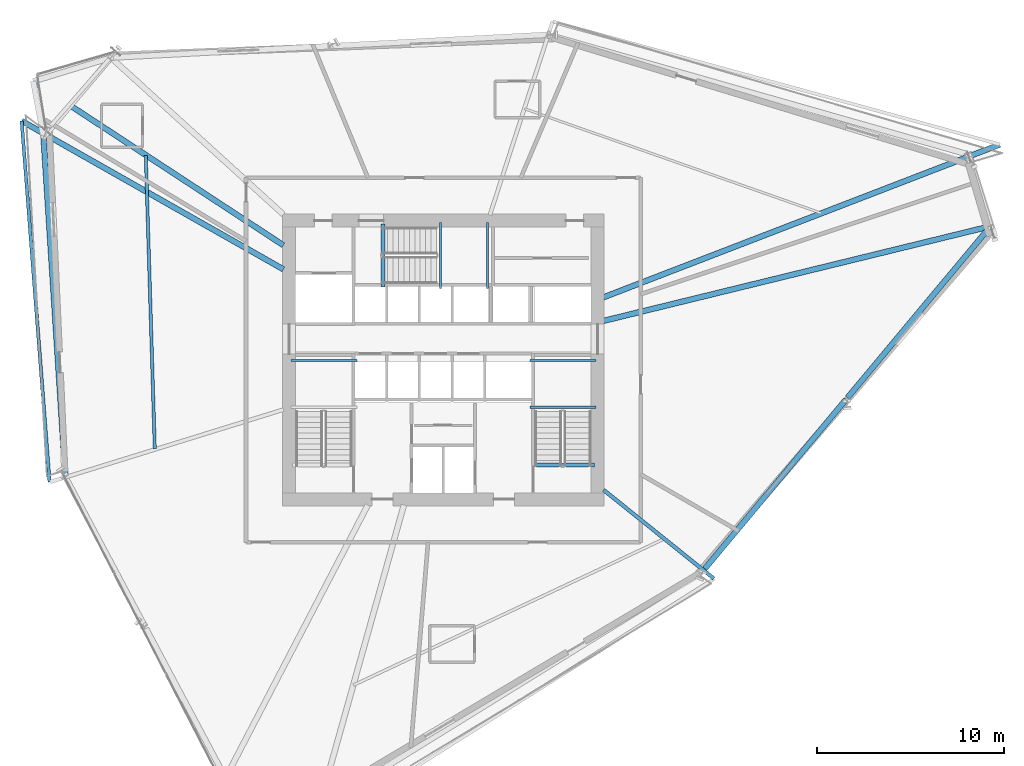
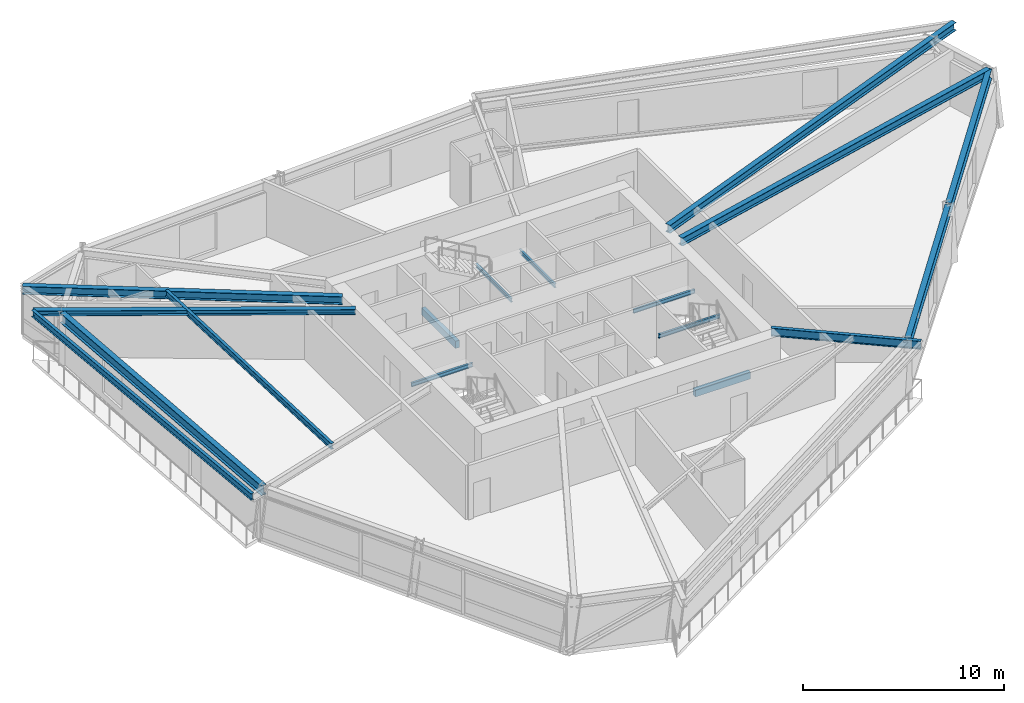
# One storey, part 6 of 19: 17 beams.
"""IFC4 building model written with IfcOpenShell, lengths in metres."""

from ifc_helpers import new_model, si_unit, direction, frame, origin, origin_2d, place, context, subcontext, project, spatial, rectangle, i_section, extrude, source, transform, mapped, material, material_profile, profile_set, type_object, element, save


model = new_model("IFC4")

# Units and contexts
model_context = context("Model", 3, precision=1e-05, world=origin(), true_north=direction((0.0, 1.0)))
body_context = subcontext(model_context, "Body", "Model", "MODEL_VIEW")
ifc_project = project(units=[si_unit("LENGTHUNIT", "METRE"), si_unit("AREAUNIT", "SQUARE_METRE"), si_unit("VOLUMEUNIT", "CUBIC_METRE"), si_unit("PLANEANGLEUNIT", "RADIAN"), si_unit("MASSUNIT", "GRAM", prefix="KILO")], contexts=[model_context])

# Site, building, storey
site_placement = place(None, origin())
site = spatial("IfcSite", under=ifc_project, at=site_placement, CompositionType="ELEMENT")
building_placement = place(site_placement, origin())
building = spatial("IfcBuilding", under=site, at=building_placement, Name="Olszyna Solenne Hotel", CompositionType="ELEMENT")
storey_placement = place(building_placement, frame((0.0, 0.0, 102.14990234375)))
storey = spatial("IfcBuildingStorey", under=building, at=storey_placement, Name="L26", CompositionType="ELEMENT", Elevation=102.14990234375)

# Beams
ifc_material_1 = material(Name="Steel S355J2", Category="steel")
ifc_material_profile_1 = material_profile(ifc_material_1, i_section(OverallWidth=0.300048828125, OverallDepth=0.60009765625, WebThickness=0.015380859375, FlangeThickness=0.030029296875, at=origin_2d()), Name="HEB 600", Category="load-bearing")
ifc_profile_set_1 = profile_set([ifc_material_profile_1], Name="Steel S355J2")
beam_type_1 = type_object("IfcBeamType", Name="BM-S2", PredefinedType="BEAM", material=ifc_profile_set_1)
shared_shape_1 = source(origin(), body_context, "Body", "SweptSolid", [
    extrude(i_section(OverallWidth=0.300048828125, OverallDepth=0.60009765625, WebThickness=0.015380859375, FlangeThickness=0.030029296875, at=origin_2d()), origin(), (0.0, 0.0, 1.0), 18.102294921875),
])
beam_1_placement = place(storey_placement, frame((16.622802734375, 38.46142578125, 3.0), z_axis=(0.064210275935, -0.997936390991, 0.0), x_axis=(0.997936390991, 0.064210275935, 0.0)))
element("IfcBeam", 1, at=beam_1_placement, inside=storey, type_object=beam_type_1, Name="Perimeter spandrel beam BM-S2 B-L26-0785", PredefinedType="BEAM", context=body_context, shape_type="MappedRepresentation", body=[
    mapped(shared_shape_1, transform((0.0, 0.0, 0.0), x_axis=(1.0, 0.0, 0.0), y_axis=(0.0, 1.0, 0.0), z_axis=(0.0, 0.0, 1.0), scale=1.0)),
])
shared_shape_2 = source(origin(), body_context, "Body", "SweptSolid", [
    extrude(i_section(OverallWidth=0.300048828125, OverallDepth=0.60009765625, WebThickness=0.015380859375, FlangeThickness=0.030029296875, at=origin_2d()), origin(), (0.0, 0.0, 1.0), 11.872802734375),
])
beam_2_placement = place(storey_placement, frame((51.92919921875, 15.37939453125, 3.0), z_axis=(0.640582766423, 0.767889132207, 0.0), x_axis=(-0.767889132207, 0.640582766423, 0.0)))
element("IfcBeam", 2, at=beam_2_placement, inside=storey, type_object=beam_type_1, Name="Perimeter spandrel beam BM-S2 B-L26-0790", PredefinedType="BEAM", context=body_context, shape_type="MappedRepresentation", body=[
    mapped(shared_shape_2, transform((0.0, 0.0, 0.0), x_axis=(1.0, 0.0, 0.0), y_axis=(0.0, 1.0, 0.0), z_axis=(0.0, 0.0, 1.0), scale=1.0)),
])
shared_shape_3 = source(origin(), body_context, "Body", "SweptSolid", [
    extrude(i_section(OverallWidth=0.300048828125, OverallDepth=0.60009765625, WebThickness=0.015380859375, FlangeThickness=0.030029296875, at=origin_2d()), origin(), (0.0, 0.0, 1.0), 11.87255859375),
])
beam_3_placement = place(storey_placement, frame((59.611572265625, 24.588623046875, 3.0), z_axis=(0.640570641054, 0.76789924718, 0.0), x_axis=(-0.76789924718, 0.640570641054, 0.0)))
element("IfcBeam", 3, at=beam_3_placement, inside=storey, type_object=beam_type_1, Name="Perimeter spandrel beam BM-S2 B-L26-0791", PredefinedType="BEAM", context=body_context, shape_type="MappedRepresentation", body=[
    mapped(shared_shape_3, transform((0.0, 0.0, 0.0), x_axis=(1.0, 0.0, 0.0), y_axis=(0.0, 1.0, 0.0), z_axis=(0.0, 0.0, 1.0), scale=1.0)),
])
ifc_material_profile_2 = material_profile(ifc_material_1, i_section(OverallWidth=0.300048828125, OverallDepth=0.489990234375, WebThickness=0.011962890625, FlangeThickness=0.02294921875, at=origin_2d()), Name="HEA 500", Category="load-bearing")
ifc_profile_set_2 = profile_set([ifc_material_profile_2], Name="Steel S355J2")
beam_type_2 = type_object("IfcBeamType", Name="BM-G1", PredefinedType="BEAM", material=ifc_profile_set_2)
shared_shape_4 = source(origin(), body_context, "Body", "SweptSolid", [
    extrude(i_section(OverallWidth=0.300048828125, OverallDepth=0.489990234375, WebThickness=0.011962890625, FlangeThickness=0.02294921875, at=origin_2d()), origin(), (0.0, 0.0, 1.0), 21.25341796875),
])
beam_4_placement = place(storey_placement, frame((67.197021484375, 33.737548828125, 3.05517578125), z_axis=(-0.971394236964, -0.237472601352, 0.0), x_axis=(0.237472601352, -0.971394236964, 0.0)))
element("IfcBeam", 4, at=beam_4_placement, inside=storey, type_object=beam_type_2, Name="Radial floor girder BM-G1 B-L26-0792", PredefinedType="BEAM", context=body_context, shape_type="MappedRepresentation", body=[
    mapped(shared_shape_4, transform((0.0, 0.0, 0.0), x_axis=(1.0, 0.0, 0.0), y_axis=(0.0, 1.0, 0.0), z_axis=(0.0, 0.0, 1.0), scale=1.0)),
])
shared_shape_5 = source(origin(), body_context, "Body", "SweptSolid", [
    extrude(i_section(OverallWidth=0.300048828125, OverallDepth=0.489990234375, WebThickness=0.011962890625, FlangeThickness=0.02294921875, at=origin_2d()), origin(), (0.0, 0.0, 1.0), 22.709716796875),
])
beam_5_placement = place(storey_placement, frame((67.7431640625, 38.118408203125, 3.05517578125), z_axis=(-0.933064090147, -0.359710166215, 0.0), x_axis=(0.359710166215, -0.933064090147, 0.0)))
element("IfcBeam", 5, at=beam_5_placement, inside=storey, type_object=beam_type_2, Name="Radial floor girder BM-G1 B-L26-0793", PredefinedType="BEAM", context=body_context, shape_type="MappedRepresentation", body=[
    mapped(shared_shape_5, transform((0.0, 0.0, 0.0), x_axis=(1.0, 0.0, 0.0), y_axis=(0.0, 1.0, 0.0), z_axis=(0.0, 0.0, 1.0), scale=1.0)),
])
shared_shape_6 = source(origin(), body_context, "Body", "SweptSolid", [
    extrude(i_section(OverallWidth=0.300048828125, OverallDepth=0.489990234375, WebThickness=0.011962890625, FlangeThickness=0.02294921875, at=origin_2d()), origin(), (0.0, 0.0, 1.0), 15.969482421875),
])
beam_6_placement = place(storey_placement, frame((16.084228515625, 41.49365234375, 3.05517578125), z_axis=(0.836371222337, -0.548163459606, 0.0), x_axis=(0.548163459606, 0.836371222337, 0.0)))
element("IfcBeam", 6, at=beam_6_placement, inside=storey, type_object=beam_type_2, Name="Radial floor girder BM-G1 B-L26-0796", PredefinedType="BEAM", context=body_context, shape_type="MappedRepresentation", body=[
    mapped(shared_shape_6, transform((0.0, 0.0, 0.0), x_axis=(1.0, 0.0, 0.0), y_axis=(0.0, 1.0, 0.0), z_axis=(0.0, 0.0, 1.0), scale=1.0)),
])
ifc_material_profile_3 = material_profile(ifc_material_1, i_section(OverallWidth=0.199951171875, OverallDepth=0.5, WebThickness=0.01025390625, FlangeThickness=0.01611328125, at=origin_2d()), Name="IPE 500", Category="load-bearing")
ifc_profile_set_3 = profile_set([ifc_material_profile_3], Name="Steel S355J2")
beam_type_3 = type_object("IfcBeamType", Name="BM-F3", PredefinedType="BEAM", material=ifc_profile_set_3)
shared_shape_7 = source(origin(), body_context, "Body", "SweptSolid", [
    extrude(i_section(OverallWidth=0.199951171875, OverallDepth=0.5, WebThickness=0.01025390625, FlangeThickness=0.01611328125, at=origin_2d()), origin(), (0.0, 0.0, 1.0), 7.567626953125),
])
beam_7_placement = place(storey_placement, frame((52.460205078125, 14.915771484375, 3.050048828125), z_axis=(-0.779491494396, 0.626412811303, 0.0), x_axis=(-0.626412811303, -0.779491494396, 0.0)))
element("IfcBeam", 7, at=beam_7_placement, inside=storey, type_object=beam_type_3, Name="Radial floor girder BM-F3 B-L26-0800", PredefinedType="BEAM", context=body_context, shape_type="MappedRepresentation", body=[
    mapped(shared_shape_7, transform((0.0, 0.0, 0.0), x_axis=(1.0, 0.0, 0.0), y_axis=(0.0, 1.0, 0.0), z_axis=(0.0, 0.0, 1.0), scale=1.0)),
])
ifc_material_profile_4 = material_profile(ifc_material_1, i_section(OverallWidth=0.300048828125, OverallDepth=0.31005859375, WebThickness=0.009033203125, FlangeThickness=0.015380859375, at=origin_2d()), Name="HEA 320", Category="load-bearing")
ifc_profile_set_4 = profile_set([ifc_material_profile_4], Name="Steel S355J2")
beam_type_4 = type_object("IfcBeamType", Name="BM-G3", PredefinedType="BEAM", material=ifc_profile_set_4)
shared_shape_8 = source(origin(), body_context, "Body", "SweptSolid", [
    extrude(i_section(OverallWidth=0.300048828125, OverallDepth=0.31005859375, WebThickness=0.009033203125, FlangeThickness=0.015380859375, at=origin_2d()), origin(), (0.0, 0.0, 1.0), 16.085693359375),
])
beam_8_placement = place(storey_placement, frame((15.449462890625, 39.381591796875, 3.14501953125), z_axis=(0.869972270636, -0.493100647256, 0.0), x_axis=(0.493100647256, 0.869972270636, 0.0)))
element("IfcBeam", 8, at=beam_8_placement, inside=storey, type_object=beam_type_4, Name="Loggia/prism radial back-span girder BM-G3 B-L26-0803", PredefinedType="BEAM", context=body_context, shape_type="MappedRepresentation", body=[
    mapped(shared_shape_8, transform((0.0, 0.0, 0.0), x_axis=(1.0, 0.0, 0.0), y_axis=(0.0, 1.0, 0.0), z_axis=(0.0, 0.0, 1.0), scale=1.0)),
])
ifc_material_profile_5 = material_profile(ifc_material_1, i_section(OverallWidth=0.169921875, OverallDepth=0.360107421875, WebThickness=0.008056640625, FlangeThickness=0.0126953125, at=origin_2d()), Name="IPE 360", Category="load-bearing")
ifc_profile_set_5 = profile_set([ifc_material_profile_5], Name="Steel S355J2")
beam_type_5 = type_object("IfcBeamType", Name="JS-01", PredefinedType="JOIST", material=ifc_profile_set_5)
shared_shape_9 = source(origin(), body_context, "Body", "SweptSolid", [
    extrude(i_section(OverallWidth=0.169921875, OverallDepth=0.360107421875, WebThickness=0.008056640625, FlangeThickness=0.0126953125, at=origin_2d()), origin(), (0.0, 0.0, 1.0), 15.712890625),
])
beam_9_placement = place(storey_placement, frame((22.086181640625, 37.54052734375, 3.1201171875), z_axis=(0.030655568242, -0.999530007621, 0.0), x_axis=(0.999530007621, 0.030655568242, 0.0)))
element("IfcBeam", 9, at=beam_9_placement, inside=storey, type_object=beam_type_5, Name="Secondary composite floor joist JS-01 B-L26-0805", PredefinedType="JOIST", context=body_context, shape_type="MappedRepresentation", body=[
    mapped(shared_shape_9, transform((0.0, 0.0, 0.0), x_axis=(1.0, 0.0, 0.0), y_axis=(0.0, 1.0, 0.0), z_axis=(0.0, 0.0, 1.0), scale=1.0)),
])
ifc_material_profile_6 = material_profile(ifc_material_1, i_section(OverallWidth=0.179931640625, OverallDepth=0.39990234375, WebThickness=0.008544921875, FlangeThickness=0.013427734375, at=origin_2d()), Name="IPE 400", Category="load-bearing")
ifc_profile_set_6 = profile_set([ifc_material_profile_6], Name="Steel S355J2")
beam_type_6 = type_object("IfcBeamType", Name="BM-F5", PredefinedType="BEAM", material=ifc_profile_set_6)
shared_shape_10 = source(origin(), body_context, "Body", "SweptSolid", [
    extrude(i_section(OverallWidth=0.179931640625, OverallDepth=0.39990234375, WebThickness=0.008544921875, FlangeThickness=0.013427734375, at=origin_2d()), origin(), (0.0, 0.0, 1.0), 19.370361328125),
])
beam_10_placement = place(storey_placement, frame((15.449462890625, 39.381591796875, 3.10009765625), z_axis=(0.076946125623, -0.99703525201, 0.0), x_axis=(0.99703525201, 0.076946125623, 0.0)))
element("IfcBeam", 10, at=beam_10_placement, inside=storey, type_object=beam_type_6, Name="Loggia outer edge beam BM-F5 B-L26-0808", PredefinedType="BEAM", context=body_context, shape_type="MappedRepresentation", body=[
    mapped(shared_shape_10, transform((0.0, 0.0, 0.0), x_axis=(1.0, 0.0, 0.0), y_axis=(0.0, 1.0, 0.0), z_axis=(0.0, 0.0, 1.0), scale=1.0)),
])
ifc_material_profile_7 = material_profile(ifc_material_1, i_section(OverallWidth=0.1201171875, OverallDepth=0.239990234375, WebThickness=0.006103515625, FlangeThickness=0.009765625, at=origin_2d()), Name="IPE 240", Category="load-bearing")
ifc_profile_set_7 = profile_set([ifc_material_profile_7], Name="Steel S355J2")
beam_type_7 = type_object("IfcBeamType", Name="JS-03", PredefinedType="JOIST", material=ifc_profile_set_7)
shared_shape_11 = source(origin(), body_context, "Body", "SweptSolid", [
    extrude(i_section(OverallWidth=0.1201171875, OverallDepth=0.239990234375, WebThickness=0.006103515625, FlangeThickness=0.009765625, at=origin_2d()), origin(), (0.0, 0.0, 1.0), 3.539794921875),
])
for number, where, z_axis, x_axis, name in (
    (11, (33.3798828125, 26.580078125, 1.4501953125), (-1.0, 0.0, 0.0), (0.0, -1.0, 0.0), "Stair landing support beam JS-03 SLB-ST1-0058"),
    (12, (46.159912109375, 24.070068359375, 1.4501953125), (-1.0, 0.0, 0.0), (0.0, -1.0, 0.0), "Stair landing support beam JS-03 SLB-ST2-0297"),
    (13, (46.159912109375, 26.580078125, 1.4501953125), (-1.0, 0.0, 0.0), (0.0, -1.0, 0.0), "Stair landing support beam JS-03 SLB-ST2-0298"),
):
    element("IfcBeam", number, at=place(storey_placement, frame(where, z_axis=z_axis, x_axis=x_axis)), inside=storey, type_object=beam_type_7, Name=name, PredefinedType="JOIST", context=body_context, shape_type="MappedRepresentation", body=[
        mapped(shared_shape_11, transform((0.0, 0.0, 0.0), x_axis=(1.0, 0.0, 0.0), y_axis=(0.0, 1.0, 0.0), z_axis=(0.0, 0.0, 1.0), scale=1.0)),
    ])
ifc_material_2 = material(Name="Concrete C50/60", Category="concrete")
ifc_material_profile_8 = material_profile(ifc_material_2, rectangle(XDim=0.219970703125, YDim=0.43994140625, at=origin_2d()), Name="RC 220x440", Category="load-bearing")
ifc_profile_set_8 = profile_set([ifc_material_profile_8], Name="Concrete C50/60")
beam_type_8 = type_object("IfcBeamType", Name="BM-ST1", PredefinedType="BEAM", material=ifc_profile_set_8)
shared_shape_12 = source(origin(), body_context, "Body", "SweptSolid", [
    extrude(rectangle(XDim=0.219970703125, YDim=0.43994140625, at=origin_2d()), origin(), (0.0, 0.0, 1.0), 3.18017578125),
])
beam_11_placement = place(storey_placement, frame((46.080078125, 20.97998046875, -0.204833984375), z_axis=(-1.0, 0.0, 0.0), x_axis=(0.0, -1.0, 0.0)))
element("IfcBeam", 14, at=beam_11_placement, inside=storey, type_object=beam_type_8, Name="Concrete stair trimmer beam BM-ST1 SHB-ST2-0428", PredefinedType="BEAM", context=body_context, shape_type="MappedRepresentation", body=[
    mapped(shared_shape_12, transform((0.0, 0.0, 0.0), x_axis=(1.0, 0.0, 0.0), y_axis=(0.0, 1.0, 0.0), z_axis=(0.0, 0.0, 1.0), scale=1.0)),
])
shared_shape_13 = source(origin(), body_context, "Body", "SweptSolid", [
    extrude(i_section(OverallWidth=0.1201171875, OverallDepth=0.239990234375, WebThickness=0.006103515625, FlangeThickness=0.009765625, at=origin_2d()), origin(), (0.0, 0.0, 1.0), 3.5400390625),
])
for number, where, z_axis, x_axis, name in (
    (15, (37.85009765625, 30.419921875, 1.4501953125), (0.0, 1.0, 0.0), (-1.0, 0.0, 0.0), "Stair landing support beam JS-03 SLB-ST3-0537"),
    (16, (40.360107421875, 30.419921875, 1.4501953125), (0.0, 1.0, 0.0), (-1.0, 0.0, 0.0), "Stair landing support beam JS-03 SLB-ST3-0538"),
):
    element("IfcBeam", number, at=place(storey_placement, frame(where, z_axis=z_axis, x_axis=x_axis)), inside=storey, type_object=beam_type_7, Name=name, PredefinedType="JOIST", context=body_context, shape_type="MappedRepresentation", body=[
        mapped(shared_shape_13, transform((0.0, 0.0, 0.0), x_axis=(1.0, 0.0, 0.0), y_axis=(0.0, 1.0, 0.0), z_axis=(0.0, 0.0, 1.0), scale=1.0)),
    ])
shared_shape_14 = source(origin(), body_context, "Body", "SweptSolid", [
    extrude(rectangle(XDim=0.219970703125, YDim=0.43994140625, at=origin_2d()), origin(), (0.0, 0.0, 1.0), 3.3798828125),
])
beam_12_placement = place(storey_placement, frame((34.760009765625, 30.5, -0.204833984375), z_axis=(0.0, 1.0, 0.0), x_axis=(-1.0, 0.0, 0.0)))
element("IfcBeam", 17, at=beam_12_placement, inside=storey, type_object=beam_type_8, Name="Concrete stair trimmer beam BM-ST1 SHB-ST3-0666", PredefinedType="BEAM", context=body_context, shape_type="MappedRepresentation", body=[
    mapped(shared_shape_14, transform((0.0, 0.0, 0.0), x_axis=(1.0, 0.0, 0.0), y_axis=(0.0, 1.0, 0.0), z_axis=(0.0, 0.0, 1.0), scale=1.0)),
])

save(model, "model.ifc")
